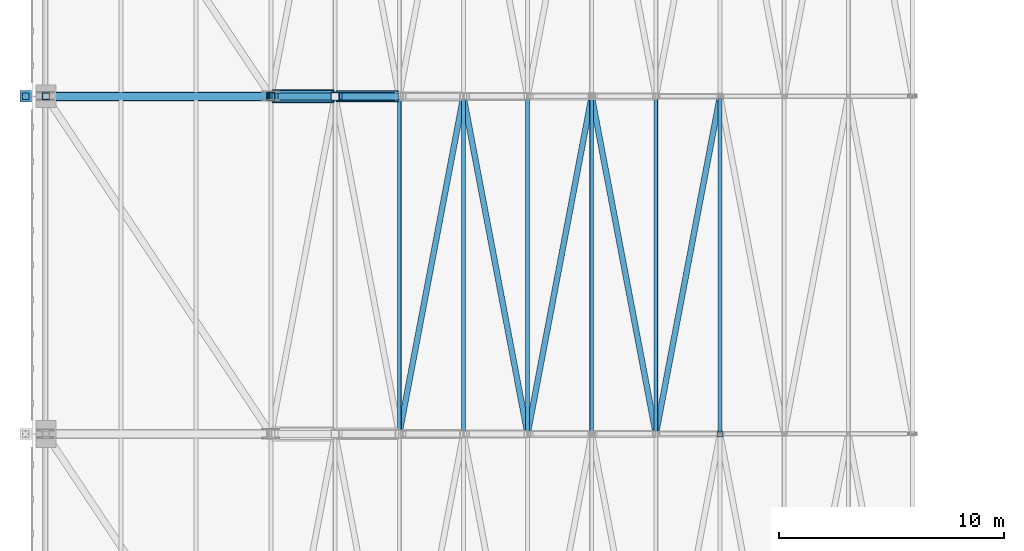
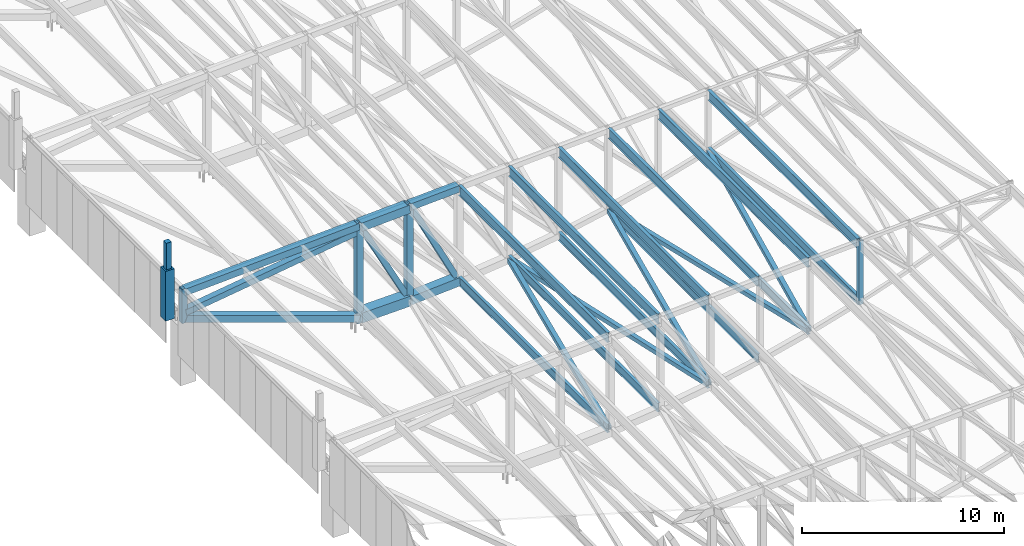
# One storey, part 32 of 278: 22 members, 10 beams.
"""IFC4 building model written with IfcOpenShell, lengths in metres."""

from ifc_helpers import new_model, si_unit, direction, frame, origin, origin_2d, place, context, subcontext, project, spatial, rectangle, hollow_rectangle, i_section, extrude, material, material_profile, profile_set, type_object, element, save


model = new_model("IFC4")

# Units and contexts
model_context = context("Model", 3, precision=1e-05, world=origin(), true_north=direction((0.0, 1.0)))
body_context = subcontext(model_context, "Body", "Model", "MODEL_VIEW")
ifc_project = project(units=[si_unit("LENGTHUNIT", "METRE"), si_unit("AREAUNIT", "SQUARE_METRE"), si_unit("VOLUMEUNIT", "CUBIC_METRE"), si_unit("PLANEANGLEUNIT", "RADIAN"), si_unit("MASSUNIT", "GRAM", prefix="KILO")], contexts=[model_context])

# Site, building, storey
site_placement = place(None, origin())
site = spatial("IfcSite", under=ifc_project, at=site_placement, CompositionType="ELEMENT")
building_placement = place(site_placement, origin())
building = spatial("IfcBuilding", under=site, at=building_placement, Name="Ogive Plaza Stadium", CompositionType="ELEMENT")
storey_placement = place(building_placement, frame((0.0, 0.0, 29.0)))
storey = spatial("IfcBuildingStorey", under=building, at=storey_placement, Name="Roof", CompositionType="ELEMENT", Elevation=29.0)

# Members
ifc_material_1 = material(Name="Concrete C45/55 precast", Category="concrete")
ifc_material_profile_1 = material_profile(ifc_material_1, rectangle(XDim=0.5, YDim=0.5, at=origin_2d()), Name="RC 500x500")
ifc_profile_set_1 = profile_set([ifc_material_profile_1], Name="Concrete C45/55 precast")
member_type_1 = type_object("IfcMemberType", Name="Precast pinnacle 500x500", PredefinedType="POST", material=ifc_profile_set_1)
member_1_placement = place(storey_placement, frame((-84.89990234375, -22.5, 4.0), z_axis=(0.0, 0.0, 1.0), x_axis=(0.0, -1.0, 0.0)))
element("IfcMember", 1, at=member_1_placement, inside=storey, type_object=member_type_1, Name="PINNACLE R23", PredefinedType="POST", context=body_context, shape_type="SweptSolid", body=[
    extrude(rectangle(XDim=0.5, YDim=0.5, at=origin_2d()), origin(), (0.0, 0.0, 1.0), 3.0),
])
ifc_material_2 = material(Name="Concrete C45/55 precast", Category="concrete")
ifc_material_profile_2 = material_profile(ifc_material_2, rectangle(XDim=0.300048828125, YDim=0.300048828125, at=origin_2d()), Name="RC 300x300")
ifc_profile_set_2 = profile_set([ifc_material_profile_2], Name="Concrete C45/55 precast")
member_type_2 = type_object("IfcMemberType", Name="Precast spire 300x300", PredefinedType="MEMBER", material=ifc_profile_set_2)
member_2_placement = place(storey_placement, frame((-84.89990234375, -22.5, 7.0), z_axis=(0.0, 0.0, 1.0), x_axis=(0.0, -1.0, 0.0)))
element("IfcMember", 2, at=member_2_placement, inside=storey, type_object=member_type_2, Name="SPIRE R23", PredefinedType="MEMBER", context=body_context, shape_type="SweptSolid", body=[
    extrude(rectangle(XDim=0.300048828125, YDim=0.300048828125, at=origin_2d()), origin(), (0.0, 0.0, 1.0), 1.60009765625),
])
ifc_material_3 = material(Name="Steel ASTM A500 Grade C", Category="steel")
ifc_material_profile_3 = material_profile(ifc_material_3, hollow_rectangle(XDim=0.25390625, YDim=0.25390625, WallThickness=0.0087890625, at=origin_2d()), Name="HSS10X10X3/8")
ifc_profile_set_3 = profile_set([ifc_material_profile_3], Name="Steel ASTM A500 Grade C")
member_type_3 = type_object("IfcMemberType", Name="Roof plan brace HSS10X10X3/8", PredefinedType="BRACE", material=ifc_profile_set_3)
member_3_placement = place(storey_placement, frame((-54.068115234375, -22.595947265625, 3.27001953125), z_axis=(-0.186406461707, -0.981044003163, -0.052965034622), x_axis=(0.982422964001, -0.186668475654, 0.0)))
element("IfcMember", 3, at=member_3_placement, inside=storey, type_object=member_type_3, Name="ROOF BRACE B22 4", PredefinedType="BRACE", context=body_context, shape_type="SweptSolid", body=[
    extrude(hollow_rectangle(XDim=0.25390625, YDim=0.25390625, WallThickness=0.0087890625, at=origin_2d()), origin(), (0.0, 0.0, 1.0), 15.068359375),
])
member_4_placement = place(storey_placement, frame((-56.923095703125, -37.378662109375, 2.459716796875), z_axis=(-0.186461324063, 0.981373677857, -0.046237204039), x_axis=(-0.982424391989, -0.186660960097, 0.0)))
element("IfcMember", 4, at=member_4_placement, inside=storey, type_object=member_type_3, Name="ROOF BRACE B22 5", PredefinedType="BRACE", context=body_context, shape_type="SweptSolid", body=[
    extrude(hollow_rectangle(XDim=0.25390625, YDim=0.25390625, WallThickness=0.0087890625, at=origin_2d()), origin(), (0.0, 0.0, 1.0), 15.011474609375),
])
member_5_placement = place(storey_placement, frame((-59.77783203125, -22.646728515625, 1.753173828125), z_axis=(-0.186534960176, -0.981781820104, -0.036182403809), x_axis=(0.982425109661, -0.186657182843, 0.0)))
element("IfcMember", 5, at=member_5_placement, inside=storey, type_object=member_type_3, Name="ROOF BRACE B22 6", PredefinedType="BRACE", context=body_context, shape_type="SweptSolid", body=[
    extrude(hollow_rectangle(XDim=0.25390625, YDim=0.25390625, WallThickness=0.0087890625, at=origin_2d()), origin(), (0.0, 0.0, 1.0), 14.9794921875),
])
member_6_placement = place(storey_placement, frame((-62.6279296875, -37.353271484375, 1.20166015625), z_axis=(-0.186585145076, 0.982045956233, -0.027779911508), x_axis=(-0.982425109661, -0.186657182843, 0.0)))
element("IfcMember", 6, at=member_6_placement, inside=storey, type_object=member_type_3, Name="ROOF BRACE B22 7", PredefinedType="BRACE", context=body_context, shape_type="SweptSolid", body=[
    extrude(hollow_rectangle(XDim=0.25390625, YDim=0.25390625, WallThickness=0.0087890625, at=origin_2d()), origin(), (0.0, 0.0, 1.0), 14.975341796875),
])
member_7_placement = place(storey_placement, frame((-65.477783203125, -22.646728515625, 0.77880859375), z_axis=(-0.186639895054, -0.982268812283, -0.017706778071), x_axis=(0.982422833867, -0.186669160538, 0.0)))
element("IfcMember", 7, at=member_7_placement, inside=storey, type_object=member_type_3, Name="ROOF BRACE B22 8", PredefinedType="BRACE", context=body_context, shape_type="SweptSolid", body=[
    extrude(hollow_rectangle(XDim=0.25390625, YDim=0.25390625, WallThickness=0.0087890625, at=origin_2d()), origin(), (0.0, 0.0, 1.0), 14.946044921875),
])
ifc_material_4 = material(Name="Steel ASTM A992 Grade 50", Category="steel")
ifc_material_profile_4 = material_profile(ifc_material_4, i_section(OverallWidth=0.1650390625, OverallDepth=0.524658203125, WebThickness=0.0087890625, FlangeThickness=0.011474609375, at=origin_2d()), Name="W21X44")
ifc_profile_set_4 = profile_set([ifc_material_profile_4], Name="Steel ASTM A992 Grade 50")
member_type_4 = type_object("IfcMemberType", Name="Roof plan strut W21X44", PredefinedType="STRUT", material=ifc_profile_set_4)
member_8_placement = place(storey_placement, frame((-54.050048828125, -37.428466796875, 3.275146484375), z_axis=(0.0, 1.0, 0.0), x_axis=(-1.0, 0.0, 0.0)))
element("IfcMember", 8, at=member_8_placement, inside=storey, type_object=member_type_4, Name="ROOF STRUT B22 3", PredefinedType="STRUT", context=body_context, shape_type="SweptSolid", body=[
    extrude(i_section(OverallWidth=0.1650390625, OverallDepth=0.524658203125, WebThickness=0.0087890625, FlangeThickness=0.011474609375, at=origin_2d()), origin(), (0.0, 0.0, 1.0), 14.85693359375),
])
member_9_placement = place(storey_placement, frame((-56.89990234375, -37.403076171875, 2.46533203125), z_axis=(0.0, 1.0, 0.0), x_axis=(-1.0, 0.0, 0.0)))
element("IfcMember", 9, at=member_9_placement, inside=storey, type_object=member_type_4, Name="ROOF STRUT B22 4", PredefinedType="STRUT", context=body_context, shape_type="SweptSolid", body=[
    extrude(i_section(OverallWidth=0.1650390625, OverallDepth=0.524658203125, WebThickness=0.0087890625, FlangeThickness=0.011474609375, at=origin_2d()), origin(), (0.0, 0.0, 1.0), 14.80615234375),
])
for number, where, z_axis, x_axis, name in (
    (10, (-59.75, -37.377685546875, 1.758544921875), (0.0, 1.0, 0.0), (-1.0, 0.0, 0.0), "ROOF STRUT B22 5"),
    (11, (-62.60009765625, -37.377685546875, 1.205810546875), (0.0, 1.0, 0.0), (-1.0, 0.0, 0.0), "ROOF STRUT B22 6"),
    (12, (-65.449951171875, -37.377685546875, 0.781494140625), (0.0, 1.0, 0.0), (-1.0, 0.0, 0.0), "ROOF STRUT B22 7"),
):
    element("IfcMember", number, at=place(storey_placement, frame(where, z_axis=z_axis, x_axis=x_axis)), inside=storey, type_object=member_type_4, Name=name, PredefinedType="STRUT", context=body_context, shape_type="SweptSolid", body=[
        extrude(i_section(OverallWidth=0.1650390625, OverallDepth=0.524658203125, WebThickness=0.0087890625, FlangeThickness=0.011474609375, at=origin_2d()), origin(), (0.0, 0.0, 1.0), 14.75537109375),
    ])
member_10_placement = place(storey_placement, frame((-68.300048828125, -37.352294921875, 0.510986328125), z_axis=(0.0, 1.0, 0.0), x_axis=(-1.0, 0.0, 0.0)))
element("IfcMember", 13, at=member_10_placement, inside=storey, type_object=member_type_4, Name="ROOF STRUT B22 8", PredefinedType="STRUT", context=body_context, shape_type="SweptSolid", body=[
    extrude(i_section(OverallWidth=0.1650390625, OverallDepth=0.524658203125, WebThickness=0.0087890625, FlangeThickness=0.011474609375, at=origin_2d()), origin(), (0.0, 0.0, 1.0), 14.70458984375),
])
ifc_material_5 = material(Name="Steel ASTM A992 Grade 50", Category="steel")
ifc_material_profile_5 = material_profile(ifc_material_5, i_section(OverallWidth=0.177978515625, OverallDepth=0.5986328125, WebThickness=0.010009765625, FlangeThickness=0.012939453125, at=origin_2d()), Name="W24X55")
ifc_profile_set_5 = profile_set([ifc_material_profile_5], Name="Steel ASTM A992 Grade 50")
member_type_5 = type_object("IfcMemberType", Name="Roof purlin W24X55", PredefinedType="PURLIN", material=ifc_profile_set_5)
member_11_placement = place(storey_placement, frame((-54.050048828125, -37.428466796875, 6.6982421875), z_axis=(0.0, 1.0, 0.0), x_axis=(-1.0, 0.0, 0.0)))
element("IfcMember", 14, at=member_11_placement, inside=storey, type_object=member_type_5, Name="ROOF PURLIN B22 3", PredefinedType="PURLIN", context=body_context, shape_type="SweptSolid", body=[
    extrude(i_section(OverallWidth=0.177978515625, OverallDepth=0.5986328125, WebThickness=0.010009765625, FlangeThickness=0.012939453125, at=origin_2d()), origin(), (0.0, 0.0, 1.0), 14.85693359375),
])
member_12_placement = place(storey_placement, frame((-56.89990234375, -37.403076171875, 6.5556640625), z_axis=(0.0, 1.0, 0.0), x_axis=(-1.0, 0.0, 0.0)))
element("IfcMember", 15, at=member_12_placement, inside=storey, type_object=member_type_5, Name="ROOF PURLIN B22 4", PredefinedType="PURLIN", context=body_context, shape_type="SweptSolid", body=[
    extrude(i_section(OverallWidth=0.177978515625, OverallDepth=0.5986328125, WebThickness=0.010009765625, FlangeThickness=0.012939453125, at=origin_2d()), origin(), (0.0, 0.0, 1.0), 14.80615234375),
])
for number, where, z_axis, x_axis, name in (
    (16, (-59.75, -37.377685546875, 6.4130859375), (0.0, 1.0, 0.0), (-1.0, 0.0, 0.0), "ROOF PURLIN B22 5"),
    (17, (-62.60009765625, -37.377685546875, 6.270751953125), (0.0, 1.0, 0.0), (-1.0, 0.0, 0.0), "ROOF PURLIN B22 6"),
    (18, (-65.449951171875, -37.377685546875, 6.128173828125), (0.0, 1.0, 0.0), (-1.0, 0.0, 0.0), "ROOF PURLIN B22 7"),
):
    element("IfcMember", number, at=place(storey_placement, frame(where, z_axis=z_axis, x_axis=x_axis)), inside=storey, type_object=member_type_5, Name=name, PredefinedType="PURLIN", context=body_context, shape_type="SweptSolid", body=[
        extrude(i_section(OverallWidth=0.177978515625, OverallDepth=0.5986328125, WebThickness=0.010009765625, FlangeThickness=0.012939453125, at=origin_2d()), origin(), (0.0, 0.0, 1.0), 14.75537109375),
    ])
member_13_placement = place(storey_placement, frame((-68.300048828125, -37.352294921875, 5.985595703125), z_axis=(0.0, 1.0, 0.0), x_axis=(-1.0, 0.0, 0.0)))
element("IfcMember", 19, at=member_13_placement, inside=storey, type_object=member_type_5, Name="ROOF PURLIN B22 8", PredefinedType="PURLIN", context=body_context, shape_type="SweptSolid", body=[
    extrude(i_section(OverallWidth=0.177978515625, OverallDepth=0.5986328125, WebThickness=0.010009765625, FlangeThickness=0.012939453125, at=origin_2d()), origin(), (0.0, 0.0, 1.0), 14.70458984375),
])

# Beams
ifc_material_6 = material(Name="Steel ASTM A500 Grade C", Category="steel")
ifc_material_profile_6 = material_profile(ifc_material_6, hollow_rectangle(XDim=0.406494140625, YDim=0.406494140625, WallThickness=0.0146484375, at=origin_2d()), Name="HSS16X16X5/8")
ifc_profile_set_6 = profile_set([ifc_material_profile_6], Name="Steel ASTM A500 Grade C")
beam_type_1 = type_object("IfcBeamType", Name="Roof truss back-span bottom chord HSS16X16X5/8", PredefinedType="BEAM", material=ifc_profile_set_6)
beam_1_placement = place(storey_placement, frame((-74.050048828125, -22.5, 0.232666015625), z_axis=(-0.943851085966, 0.0, 0.330371196567), x_axis=(0.0, -1.0, 0.0)))
element("IfcBeam", 20, at=beam_1_placement, inside=storey, type_object=beam_type_1, Name="ROOF TRUSS T23 BOTTOM CHORD 11", PredefinedType="BEAM", context=body_context, shape_type="SweptSolid", body=[
    extrude(hollow_rectangle(XDim=0.406494140625, YDim=0.406494140625, WallThickness=0.0146484375, at=origin_2d()), origin(), (0.0, 0.0, 1.0), 10.470703125),
])
ifc_material_7 = material(Name="Steel ASTM A500 Grade C", Category="steel")
ifc_material_profile_7 = material_profile(ifc_material_7, hollow_rectangle(XDim=0.406494140625, YDim=0.406494140625, WallThickness=0.0146484375, at=origin_2d()), Name="HSS16X16X5/8")
ifc_profile_set_7 = profile_set([ifc_material_profile_7], Name="Steel ASTM A500 Grade C")
beam_type_2 = type_object("IfcBeamType", Name="Roof truss back-span top chord HSS16X16X5/8", PredefinedType="BEAM", material=ifc_profile_set_7)
beam_2_placement = place(storey_placement, frame((-74.050048828125, -22.5, 5.7939453125), z_axis=(-0.998752953021, 0.0, -0.049925332571), x_axis=(0.0, -1.0, 0.0)))
element("IfcBeam", 21, at=beam_2_placement, inside=storey, type_object=beam_type_2, Name="ROOF TRUSS T23 TOP CHORD 11", PredefinedType="BEAM", context=body_context, shape_type="SweptSolid", body=[
    extrude(hollow_rectangle(XDim=0.406494140625, YDim=0.406494140625, WallThickness=0.0146484375, at=origin_2d()), origin(), (0.0, 0.0, 1.0), 9.912353515625),
])

# Member
ifc_material_8 = material(Name="Steel ASTM A500 Grade C", Category="steel")
ifc_material_profile_8 = material_profile(ifc_material_8, hollow_rectangle(XDim=0.355712890625, YDim=0.355712890625, WallThickness=0.0146484375, at=origin_2d()), Name="HSS14X14X5/8")
ifc_profile_set_8 = profile_set([ifc_material_profile_8], Name="Steel ASTM A500 Grade C")
member_type_6 = type_object("IfcMemberType", Name="Roof truss back-stay HSS14X14X5/8", PredefinedType="BRACE", material=ifc_profile_set_8)
member_14_placement = place(storey_placement, frame((-74.093017578125, -22.5, 5.45654296875), z_axis=(-0.989844100519, 0.0, -0.142157154826), x_axis=(0.0, -1.0, 0.0)))
element("IfcMember", 22, at=member_14_placement, inside=storey, type_object=member_type_6, Name="BACK-STAY T23", PredefinedType="BRACE", context=body_context, shape_type="SweptSolid", body=[
    extrude(hollow_rectangle(XDim=0.355712890625, YDim=0.355712890625, WallThickness=0.0146484375, at=origin_2d()), origin(), (0.0, 0.0, 1.0), 9.9404296875),
])

# Beams
ifc_material_9 = material(Name="Steel ASTM A500 Grade C", Category="steel")
ifc_material_profile_9 = material_profile(ifc_material_9, hollow_rectangle(XDim=0.508056640625, YDim=0.508056640625, WallThickness=0.0146484375, at=origin_2d()), Name="HSS20X20X5/8")
ifc_profile_set_9 = profile_set([ifc_material_profile_9], Name="Steel ASTM A500 Grade C")
beam_type_3 = type_object("IfcBeamType", Name="Roof truss bottom chord HSS20X20X5/8", PredefinedType="BEAM", material=ifc_profile_set_9)
beam_3_placement = place(storey_placement, frame((-68.35009765625, -22.5, 0.50830078125), z_axis=(-0.997719620387, 0.0, -0.06749488199), x_axis=(0.0, -1.0, 0.0)))
element("IfcBeam", 23, at=beam_3_placement, inside=storey, type_object=beam_type_3, Name="ROOF TRUSS T23 BOTTOM CHORD 9", PredefinedType="BEAM", context=body_context, shape_type="SweptSolid", body=[
    extrude(hollow_rectangle(XDim=0.508056640625, YDim=0.508056640625, WallThickness=0.0146484375, at=origin_2d()), origin(), (0.0, 0.0, 1.0), 2.75634765625),
])
ifc_material_10 = material(Name="Steel ASTM A500 Grade C", Category="steel")
ifc_material_profile_10 = material_profile(ifc_material_10, hollow_rectangle(XDim=0.609619140625, YDim=0.609619140625, WallThickness=0.0146484375, at=origin_2d()), Name="HSS24X24X5/8")
ifc_profile_set_10 = profile_set([ifc_material_profile_10], Name="Steel ASTM A500 Grade C")
beam_type_4 = type_object("IfcBeamType", Name="Roof truss bottom chord HSS24X24X5/8", PredefinedType="BEAM", material=ifc_profile_set_10)
beam_4_placement = place(storey_placement, frame((-71.199951171875, -22.5, 0.367919921875), z_axis=(-0.999745852076, 0.0, -0.022543984946), x_axis=(0.0, -1.0, 0.0)))
element("IfcBeam", 24, at=beam_4_placement, inside=storey, type_object=beam_type_4, Name="ROOF TRUSS T23 BOTTOM CHORD 10", PredefinedType="BEAM", context=body_context, shape_type="SweptSolid", body=[
    extrude(hollow_rectangle(XDim=0.609619140625, YDim=0.609619140625, WallThickness=0.0146484375, at=origin_2d()), origin(), (0.0, 0.0, 1.0), 2.750732421875),
])

# Members
ifc_material_11 = material(Name="Steel ASTM A500 Grade C", Category="steel")
ifc_material_profile_11 = material_profile(ifc_material_11, hollow_rectangle(XDim=0.3046875, YDim=0.3046875, WallThickness=0.0087890625, at=origin_2d()), Name="HSS12X12X3/8")
ifc_profile_set_11 = profile_set([ifc_material_profile_11], Name="Steel ASTM A500 Grade C")
member_type_7 = type_object("IfcMemberType", Name="Roof truss diagonal HSS12X12X3/8", PredefinedType="BRACE", material=ifc_profile_set_11)
member_15_placement = place(storey_placement, frame((-68.477783203125, -22.5, 0.764892578125), z_axis=(-0.448477330766, 0.0, 0.893794206621), x_axis=(0.0, -1.0, 0.0)))
element("IfcMember", 25, at=member_15_placement, inside=storey, type_object=member_type_7, Name="ROOF TRUSS T23 DIAGONAL 9", PredefinedType="BRACE", context=body_context, shape_type="SweptSolid", body=[
    extrude(hollow_rectangle(XDim=0.3046875, YDim=0.3046875, WallThickness=0.0087890625, at=origin_2d()), origin(), (0.0, 0.0, 1.0), 5.56201171875),
])
member_16_placement = place(storey_placement, frame((-71.327880859375, -22.5, 0.673828125), z_axis=(-0.459750963822, 0.0, 0.888047887934), x_axis=(0.0, -1.0, 0.0)))
element("IfcMember", 26, at=member_16_placement, inside=storey, type_object=member_type_7, Name="ROOF TRUSS T23 DIAGONAL 10", PredefinedType="BRACE", context=body_context, shape_type="SweptSolid", body=[
    extrude(hollow_rectangle(XDim=0.3046875, YDim=0.3046875, WallThickness=0.0087890625, at=origin_2d()), origin(), (0.0, 0.0, 1.0), 5.425537109375),
])

# Beams
ifc_material_12 = material(Name="Steel ASTM A500 Grade C", Category="steel")
ifc_material_profile_12 = material_profile(ifc_material_12, hollow_rectangle(XDim=0.25390625, YDim=0.25390625, WallThickness=0.01171875, at=origin_2d()), Name="HSS10X10X1/2")
ifc_profile_set_12 = profile_set([ifc_material_profile_12], Name="Steel ASTM A500 Grade C")
beam_type_5 = type_object("IfcBeamType", Name="Roof truss post HSS10X10X1/2", PredefinedType="BEAM", material=ifc_profile_set_12)
beam_5_placement = place(storey_placement, frame((-54.050048828125, -37.5, 3.148193359375), z_axis=(0.0, 0.0, 1.0), x_axis=(0.0, -1.0, 0.0)))
element("IfcBeam", 27, at=beam_5_placement, inside=storey, type_object=beam_type_5, Name="ROOF TRUSS T22 POST 4", PredefinedType="BEAM", context=body_context, shape_type="SweptSolid", body=[
    extrude(hollow_rectangle(XDim=0.25390625, YDim=0.25390625, WallThickness=0.01171875, at=origin_2d()), origin(), (0.0, 0.0, 1.0), 3.849365234375),
])
ifc_material_13 = material(Name="Steel ASTM A500 Grade C", Category="steel")
ifc_material_profile_13 = material_profile(ifc_material_13, hollow_rectangle(XDim=0.3046875, YDim=0.3046875, WallThickness=0.01171875, at=origin_2d()), Name="HSS12X12X1/2")
ifc_profile_set_13 = profile_set([ifc_material_profile_13], Name="Steel ASTM A500 Grade C")
beam_type_6 = type_object("IfcBeamType", Name="Roof truss post HSS12X12X1/2", PredefinedType="BEAM", material=ifc_profile_set_13)
beam_6_placement = place(storey_placement, frame((-84.0, -22.5, 3.43994140625), z_axis=(0.0, 0.0, 1.0), x_axis=(0.0, -1.0, 0.0)))
element("IfcBeam", 28, at=beam_6_placement, inside=storey, type_object=beam_type_6, Name="ROOF TRUSS T23 POST 12", PredefinedType="BEAM", context=body_context, shape_type="SweptSolid", body=[
    extrude(hollow_rectangle(XDim=0.3046875, YDim=0.3046875, WallThickness=0.01171875, at=origin_2d()), origin(), (0.0, 0.0, 1.0), 2.06005859375),
])
ifc_material_14 = material(Name="Steel ASTM A500 Grade C", Category="steel")
ifc_material_profile_14 = material_profile(ifc_material_14, hollow_rectangle(XDim=0.355712890625, YDim=0.355712890625, WallThickness=0.0146484375, at=origin_2d()), Name="HSS14X14X5/8")
ifc_profile_set_14 = profile_set([ifc_material_profile_14], Name="Steel ASTM A500 Grade C")
beam_type_7 = type_object("IfcBeamType", Name="Roof truss post HSS14X14X5/8", PredefinedType="BEAM", material=ifc_profile_set_14)
beam_7_placement = place(storey_placement, frame((-71.14990234375, -22.5, 0.064208984375), z_axis=(0.0, 0.0, 1.0), x_axis=(0.0, -1.0, 0.0)))
element("IfcBeam", 29, at=beam_7_placement, inside=storey, type_object=beam_type_7, Name="ROOF TRUSS T23 POST 10", PredefinedType="BEAM", context=body_context, shape_type="SweptSolid", body=[
    extrude(hollow_rectangle(XDim=0.355712890625, YDim=0.355712890625, WallThickness=0.0146484375, at=origin_2d()), origin(), (0.0, 0.0, 1.0), 6.078369140625),
])
beam_8_placement = place(storey_placement, frame((-74.0, -22.5, -0.06005859375), z_axis=(0.0, 0.0, 1.0), x_axis=(0.0, -1.0, 0.0)))
element("IfcBeam", 30, at=beam_8_placement, inside=storey, type_object=beam_type_7, Name="ROOF TRUSS T23 POST 11", PredefinedType="BEAM", context=body_context, shape_type="SweptSolid", body=[
    extrude(hollow_rectangle(XDim=0.355712890625, YDim=0.355712890625, WallThickness=0.0146484375, at=origin_2d()), origin(), (0.0, 0.0, 1.0), 6.06005859375),
])
ifc_material_15 = material(Name="Steel ASTM A500 Grade C", Category="steel")
ifc_material_profile_15 = material_profile(ifc_material_15, hollow_rectangle(XDim=0.406494140625, YDim=0.406494140625, WallThickness=0.01171875, at=origin_2d()), Name="HSS16X16X1/2")
ifc_profile_set_15 = profile_set([ifc_material_profile_15], Name="Steel ASTM A500 Grade C")
beam_type_8 = type_object("IfcBeamType", Name="Roof truss top chord HSS16X16X1/2", PredefinedType="BEAM", material=ifc_profile_set_15)
beam_9_placement = place(storey_placement, frame((-68.35009765625, -22.5, 6.0791015625), z_axis=(-0.998753223187, 0.0, -0.049919927615), x_axis=(0.0, -1.0, 0.0)))
element("IfcBeam", 31, at=beam_9_placement, inside=storey, type_object=beam_type_8, Name="ROOF TRUSS T23 TOP CHORD 9", PredefinedType="BEAM", context=body_context, shape_type="SweptSolid", body=[
    extrude(hollow_rectangle(XDim=0.406494140625, YDim=0.406494140625, WallThickness=0.01171875, at=origin_2d()), origin(), (0.0, 0.0, 1.0), 2.75341796875),
])
ifc_material_16 = material(Name="Steel ASTM A500 Grade C", Category="steel")
ifc_material_profile_16 = material_profile(ifc_material_16, hollow_rectangle(XDim=0.508056640625, YDim=0.508056640625, WallThickness=0.0146484375, at=origin_2d()), Name="HSS20X20X5/8")
ifc_profile_set_16 = profile_set([ifc_material_profile_16], Name="Steel ASTM A500 Grade C")
beam_type_9 = type_object("IfcBeamType", Name="Roof truss top chord HSS20X20X5/8", PredefinedType="BEAM", material=ifc_profile_set_16)
beam_10_placement = place(storey_placement, frame((-71.199951171875, -22.5, 5.8857421875), z_axis=(-0.998753223187, 0.0, -0.049919927615), x_axis=(0.0, -1.0, 0.0)))
element("IfcBeam", 32, at=beam_10_placement, inside=storey, type_object=beam_type_9, Name="ROOF TRUSS T23 TOP CHORD 10", PredefinedType="BEAM", context=body_context, shape_type="SweptSolid", body=[
    extrude(hollow_rectangle(XDim=0.508056640625, YDim=0.508056640625, WallThickness=0.0146484375, at=origin_2d()), origin(), (0.0, 0.0, 1.0), 2.75341796875),
])

save(model, "model.ifc")
